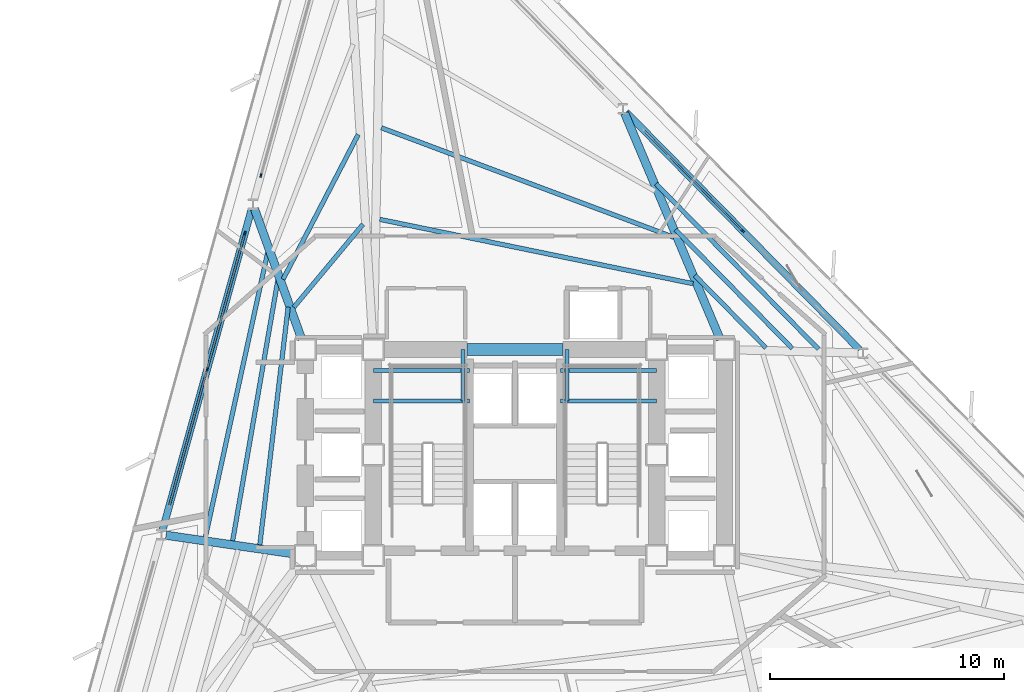
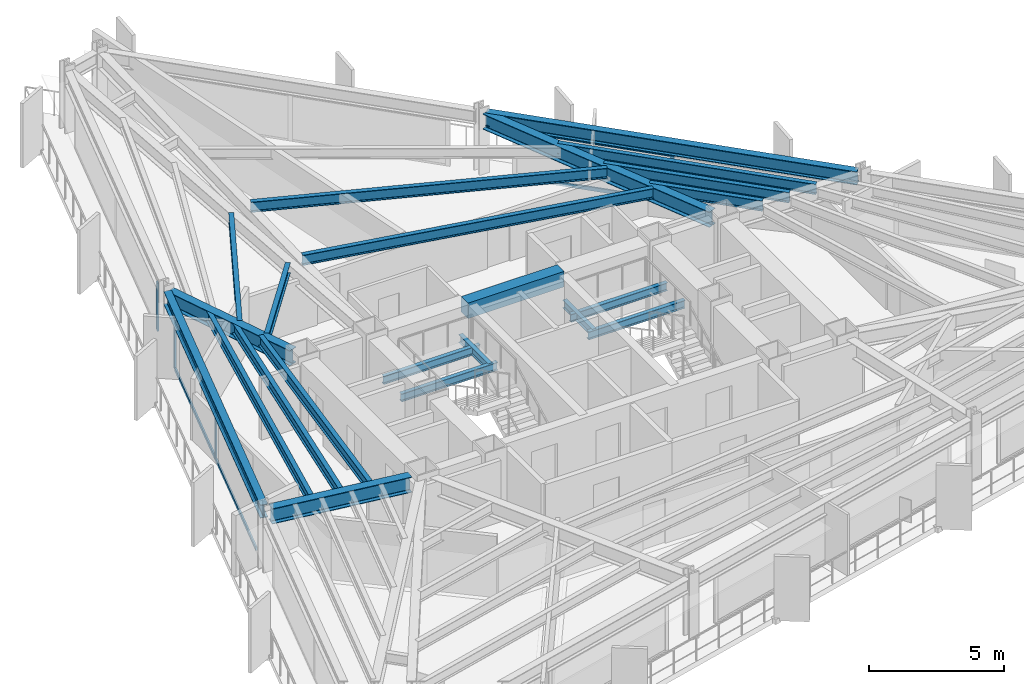
# One storey, part 3 of 11: 22 beams, 10 members, 3 elements without a shape of their own.
"""IFC4 building model written with IfcOpenShell, lengths in metres."""

from ifc_helpers import new_model, si_unit, direction, frame, origin, origin_2d, place, context, subcontext, project, spatial, rectangle, i_section, extrude, material, layer, layer_set, material_profile, profile_set, type_object, element, aggregate, save


model = new_model("IFC4")

# Units and contexts
model_context = context("Model", 3, precision=1e-05, world=origin(), true_north=direction((0.0, 1.0)))
body_context = subcontext(model_context, "Body", "Model", "MODEL_VIEW")
ifc_project = project(units=[si_unit("LENGTHUNIT", "METRE"), si_unit("AREAUNIT", "SQUARE_METRE"), si_unit("VOLUMEUNIT", "CUBIC_METRE"), si_unit("PLANEANGLEUNIT", "RADIAN"), si_unit("MASSUNIT", "GRAM", prefix="KILO")], contexts=[model_context])

# Site, building, storey
site_placement = place(None, origin())
site = spatial("IfcSite", under=ifc_project, at=site_placement, CompositionType="ELEMENT")
building_placement = place(site_placement, origin())
building = spatial("IfcBuilding", under=site, at=building_placement, Name="Rocaltana Carrier Exchange", CompositionType="ELEMENT")
storey_placement = place(building_placement, frame((0.0, 0.0, 82.56005859375)))
storey = spatial("IfcBuildingStorey", under=building, at=storey_placement, Name="L25", CompositionType="ELEMENT", Elevation=82.56005859375)

# Curtain wall, member
ifc_material_1 = material(Name="Aluminium 6063-T6", Category="aluminium")
ifc_layer = layer(ifc_material_1, 0.1650390625)
ifc_layer_set = layer_set([ifc_layer], Name="Aluminium 6063-T6")
curtain_wall_type = type_object("IfcCurtainWallType", Name="Lower-Mid Stepped Curtain Wall CW-02", PredefinedType="NOTDEFINED", material=ifc_layer_set)
curtain_wall_1_placement = place(storey_placement, origin())
curtain_wall_1 = element("IfcCurtainWall", 1, at=curtain_wall_1_placement, inside=storey, type_object=curtain_wall_type, Name="L25 CW-02 Run CW-L25-F1S2", PredefinedType="NOTDEFINED")
ifc_material_2 = material(Name="Aluminium 6063-T6", Category="aluminium")
ifc_material_profile_1 = material_profile(ifc_material_2, rectangle(XDim=0.06494140625, YDim=0.1650390625, at=origin_2d()), Name="AL-65X165")
ifc_profile_set_1 = profile_set([ifc_material_profile_1], Name="Aluminium 6063-T6")
member_type_1 = type_object("IfcMemberType", Name="CW-02 Mullion AL-65X165", PredefinedType="MULLION", material=ifc_profile_set_1)
member_1_placement = place(storey_placement, frame((9.732666015625, 9.564453125, 0.0), z_axis=(0.0, 0.0, 1.0), x_axis=(-0.713244696676, -0.700915118017, 0.0)))
member_1 = element("IfcMember", 2, at=member_1_placement, type_object=member_type_1, Name="CW-02 mullion 2", PredefinedType="MULLION", context=body_context, shape_type="SweptSolid", body=[
    extrude(rectangle(XDim=0.06494140625, YDim=0.1650390625, at=origin_2d()), origin(), (0.0, 0.0, 1.0), 2.16796875),
])

curtain_wall_2_placement = place(storey_placement, origin())
curtain_wall_2 = element("IfcCurtainWall", 3, at=curtain_wall_2_placement, inside=storey, type_object=curtain_wall_type, Name="L25 CW-02 Run CW-L25-F2S1", PredefinedType="NOTDEFINED")
member_2_placement = place(storey_placement, frame((-10.851318359375, 11.93310546875, 0.0), z_axis=(0.0, 0.0, 1.0), x_axis=(0.96362846453, -0.267245546918, 0.0)))
member_2 = element("IfcMember", 4, at=member_2_placement, type_object=member_type_1, Name="CW-02 mullion 3", PredefinedType="MULLION", context=body_context, shape_type="SweptSolid", body=[
    extrude(rectangle(XDim=0.06494140625, YDim=0.1650390625, at=origin_2d()), origin(), (0.0, 0.0, 1.0), 2.16796875),
])
aggregate(curtain_wall_2, [member_2])

# Curtain wall, members
curtain_wall_3_placement = place(storey_placement, origin())
curtain_wall_3 = element("IfcCurtainWall", 5, at=curtain_wall_3_placement, inside=storey, type_object=curtain_wall_type, Name="L25 CW-02 Run CW-L25-F2S2", PredefinedType="NOTDEFINED")
member_3_placement = place(storey_placement, frame((-11.536865234375, 9.46142578125, 0.0), z_axis=(0.0, 0.0, 1.0), x_axis=(0.963630586954, -0.267237893807, 0.0)))
member_3 = element("IfcMember", 6, at=member_3_placement, type_object=member_type_1, Name="CW-02 mullion 1", PredefinedType="MULLION", context=body_context, shape_type="SweptSolid", body=[
    extrude(rectangle(XDim=0.06494140625, YDim=0.1650390625, at=origin_2d()), origin(), (0.0, 0.0, 1.0), 2.16796875),
])
member_4_placement = place(storey_placement, frame((-13.1494140625, 3.646728515625, 0.0), z_axis=(0.0, 0.0, 1.0), x_axis=(0.963630586954, -0.267237893807, 0.0)))
member_4 = element("IfcMember", 7, at=member_4_placement, type_object=member_type_1, Name="CW-02 mullion 2", PredefinedType="MULLION", context=body_context, shape_type="SweptSolid", body=[
    extrude(rectangle(XDim=0.06494140625, YDim=0.1650390625, at=origin_2d()), origin(), (0.0, 0.0, 1.0), 2.16796875),
])

# Member
ifc_material_3 = material(Name="Aluminium 6063-T6", Category="aluminium")
ifc_material_profile_2 = material_profile(ifc_material_3, rectangle(XDim=0.06494140625, YDim=0.1650390625, at=origin_2d()), Name="AL-65X165")
ifc_profile_set_2 = profile_set([ifc_material_profile_2], Name="Aluminium 6063-T6")
member_type_2 = type_object("IfcMemberType", Name="CW-02 Transom AL-65X165", PredefinedType="USERDEFINED", material=ifc_profile_set_2)
member_5_placement = place(storey_placement, frame((9.7099609375, 9.587646484375, 0.032470703125), z_axis=(-0.700924352217, 0.713235621985, 0.0), x_axis=(-0.713235621985, -0.700924352217, 0.0)))
member_5 = element("IfcMember", 8, at=member_5_placement, type_object=member_type_2, Name="CW-02 transom 2.1", ObjectType="TRANSOM", PredefinedType="USERDEFINED", context=body_context, shape_type="SweptSolid", body=[
    extrude(rectangle(XDim=0.06494140625, YDim=0.1650390625, at=origin_2d()), origin(), (0.0, 0.0, 1.0), 5.968994140625),
])

member_6_placement = place(storey_placement, frame((9.7099609375, 9.587646484375, 2.135498046875), z_axis=(-0.700924352217, 0.713235621985, 0.0), x_axis=(-0.713235621985, -0.700924352217, 0.0)))
member_6 = element("IfcMember", 9, at=member_6_placement, type_object=member_type_2, Name="CW-02 transom 2.2", ObjectType="TRANSOM", PredefinedType="USERDEFINED", context=body_context, shape_type="SweptSolid", body=[
    extrude(rectangle(XDim=0.06494140625, YDim=0.1650390625, at=origin_2d()), origin(), (0.0, 0.0, 1.0), 5.968994140625),
])

aggregate(curtain_wall_1, [member_1, member_5, member_6])

member_7_placement = place(storey_placement, frame((-11.54541015625, 9.43017578125, 0.032470703125), z_axis=(-0.267236720875, -0.963630912235, 0.0), x_axis=(0.963630912235, -0.267236720875, 0.0)))
member_7 = element("IfcMember", 10, at=member_7_placement, type_object=member_type_2, Name="CW-02 transom 1.1", ObjectType="TRANSOM", PredefinedType="USERDEFINED", context=body_context, shape_type="SweptSolid", body=[
    extrude(rectangle(XDim=0.06494140625, YDim=0.1650390625, at=origin_2d()), origin(), (0.0, 0.0, 1.0), 5.96923828125),
])

member_8_placement = place(storey_placement, frame((-11.54541015625, 9.43017578125, 2.135498046875), z_axis=(-0.267236720875, -0.963630912235, 0.0), x_axis=(0.963630912235, -0.267236720875, 0.0)))
member_8 = element("IfcMember", 11, at=member_8_placement, type_object=member_type_2, Name="CW-02 transom 1.2", ObjectType="TRANSOM", PredefinedType="USERDEFINED", context=body_context, shape_type="SweptSolid", body=[
    extrude(rectangle(XDim=0.06494140625, YDim=0.1650390625, at=origin_2d()), origin(), (0.0, 0.0, 1.0), 5.96923828125),
])

member_9_placement = place(storey_placement, frame((-13.157958984375, 3.615234375, 0.032470703125), z_axis=(-0.26724725359, -0.963627991213, 0.0), x_axis=(0.963627991213, -0.26724725359, 0.0)))
member_9 = element("IfcMember", 12, at=member_9_placement, type_object=member_type_2, Name="CW-02 transom 2.1", ObjectType="TRANSOM", PredefinedType="USERDEFINED", context=body_context, shape_type="SweptSolid", body=[
    extrude(rectangle(XDim=0.06494140625, YDim=0.1650390625, at=origin_2d()), origin(), (0.0, 0.0, 1.0), 5.968994140625),
])

member_10_placement = place(storey_placement, frame((-13.157958984375, 3.615234375, 2.135498046875), z_axis=(-0.26724725359, -0.963627991213, 0.0), x_axis=(0.963627991213, -0.26724725359, 0.0)))
member_10 = element("IfcMember", 13, at=member_10_placement, type_object=member_type_2, Name="CW-02 transom 2.2", ObjectType="TRANSOM", PredefinedType="USERDEFINED", context=body_context, shape_type="SweptSolid", body=[
    extrude(rectangle(XDim=0.06494140625, YDim=0.1650390625, at=origin_2d()), origin(), (0.0, 0.0, 1.0), 5.968994140625),
])

aggregate(curtain_wall_3, [member_3, member_4, member_7, member_8, member_9, member_10])

# Beams
ifc_material_4 = material(Name="Concrete C60/75", Category="concrete")
ifc_material_profile_3 = material_profile(ifc_material_4, rectangle(XDim=0.5, YDim=0.699951171875, at=origin_2d()), Name="RC-BM-500X700")
ifc_profile_set_3 = profile_set([ifc_material_profile_3], Name="Concrete C60/75")
beam_type_1 = type_object("IfcBeamType", Name="Core Coupling Lintel 500x700", PredefinedType="LINTEL", material=ifc_profile_set_3)
beam_1_placement = place(storey_placement, frame((-2.050048828125, 4.5, 2.43798828125), z_axis=(1.0, 0.0, 0.0), x_axis=(0.0, 1.0, 0.0)))
element("IfcBeam", 14, at=beam_1_placement, inside=storey, type_object=beam_type_1, Name="L25 Core Coupling Lintel CL-N", PredefinedType="LINTEL", context=body_context, shape_type="SweptSolid", body=[
    extrude(rectangle(XDim=0.5, YDim=0.699951171875, at=origin_2d()), origin(), (0.0, 0.0, 1.0), 4.10009765625),
])
ifc_material_5 = material(Name="Steel S355", Category="steel")
ifc_material_profile_4 = material_profile(ifc_material_5, i_section(OverallWidth=0.172119140625, OverallDepth=0.35791015625, WebThickness=0.0078125, FlangeThickness=0.01318359375, FilletRadius=0.011962890625, at=origin_2d()), Name="W14X38")
ifc_profile_set_4 = profile_set([ifc_material_profile_4], Name="Steel S355")
beam_type_2 = type_object("IfcBeamType", Name="Floor Joist W14X38", PredefinedType="JOIST", material=ifc_profile_set_4)
for number, where, z_axis, x_axis, name in (
    (15, (-6.050048828125, 2.300048828125, 1.140869140625), (1.0, 0.0, 0.0), (0.0, 1.0, 0.0), "L25 ST-1 Landing Carrier 1"),
    (16, (1.93994140625, 2.300048828125, 1.140869140625), (1.0, 0.0, 0.0), (0.0, 1.0, 0.0), "L25 ST-2 Landing Carrier 1"),
    (17, (-6.050048828125, 3.60009765625, 1.140869140625), (1.0, 0.0, 0.0), (0.0, 1.0, 0.0), "L25 ST-1 Landing Carrier 2"),
    (18, (1.93994140625, 3.60009765625, 1.140869140625), (1.0, 0.0, 0.0), (0.0, 1.0, 0.0), "L25 ST-2 Landing Carrier 2"),
):
    element("IfcBeam", number, at=place(storey_placement, frame(where, z_axis=z_axis, x_axis=x_axis)), inside=storey, type_object=beam_type_2, Name=name, PredefinedType="JOIST", context=body_context, shape_type="SweptSolid", body=[
        extrude(i_section(OverallWidth=0.172119140625, OverallDepth=0.35791015625, WebThickness=0.0078125, FlangeThickness=0.01318359375, FilletRadius=0.011962890625, at=origin_2d()), origin(), (0.0, 0.0, 1.0), 4.110107421875),
    ])
for number, where, z_axis, x_axis, name in (
    (19, (-2.219970703125, 2.300048828125, 1.140869140625), (0.0, 1.0, 0.0), (-1.0, 0.0, 0.0), "L25 ST-1 Landing Cross Trimmer"),
    (20, (2.219970703125, 2.300048828125, 1.140869140625), (0.0, 1.0, 0.0), (-1.0, 0.0, 0.0), "L25 ST-2 Landing Cross Trimmer"),
):
    element("IfcBeam", number, at=place(storey_placement, frame(where, z_axis=z_axis, x_axis=x_axis)), inside=storey, type_object=beam_type_2, Name=name, PredefinedType="JOIST", context=body_context, shape_type="SweptSolid", body=[
        extrude(i_section(OverallWidth=0.172119140625, OverallDepth=0.35791015625, WebThickness=0.0078125, FlangeThickness=0.01318359375, FilletRadius=0.011962890625, at=origin_2d()), origin(), (0.0, 0.0, 1.0), 2.199951171875),
    ])
ifc_material_6 = material(Name="Steel S355", Category="steel")
ifc_material_profile_5 = material_profile(ifc_material_6, i_section(OverallWidth=0.193115234375, OverallDepth=0.466064453125, WebThickness=0.011474609375, FlangeThickness=0.01904296875, FilletRadius=0.013916015625, at=origin_2d()), Name="W18X65")
ifc_profile_set_5 = profile_set([ifc_material_profile_5], Name="Steel S355")
beam_type_3 = type_object("IfcBeamType", Name="Floor Joist W18X65", PredefinedType="JOIST", material=ifc_profile_set_5)
beam_2_placement = place(storey_placement, frame((10.72119140625, 4.572998046875, 2.554931640625), z_axis=(-0.700891063864, 0.713268334216, 0.0), x_axis=(-0.713268334216, -0.700891063864, 0.0)))
element("IfcBeam", 21, at=beam_2_placement, inside=storey, type_object=beam_type_3, Name="FJ-L25-02-1", PredefinedType="JOIST", context=body_context, shape_type="SweptSolid", body=[
    extrude(i_section(OverallWidth=0.193115234375, OverallDepth=0.466064453125, WebThickness=0.011474609375, FlangeThickness=0.01904296875, FilletRadius=0.013916015625, at=origin_2d()), origin(), (0.0, 0.0, 1.0), 4.339599609375),
])
beam_3_placement = place(storey_placement, frame((11.844482421875, 4.543701171875, 2.554931640625), z_axis=(-0.700907768136, 0.713251919427, 0.0), x_axis=(-0.713251919427, -0.700907768136, 0.0)))
element("IfcBeam", 22, at=beam_3_placement, inside=storey, type_object=beam_type_3, Name="FJ-L25-02-2", PredefinedType="JOIST", context=body_context, shape_type="SweptSolid", body=[
    extrude(i_section(OverallWidth=0.193115234375, OverallDepth=0.466064453125, WebThickness=0.011474609375, FlangeThickness=0.01904296875, FilletRadius=0.013916015625, at=origin_2d()), origin(), (0.0, 0.0, 1.0), 7.1201171875),
])
beam_4_placement = place(storey_placement, frame((12.967529296875, 4.514404296875, 2.554931640625), z_axis=(-0.700914872746, 0.713244937706, 0.0), x_axis=(-0.713244937706, -0.700914872746, 0.0)))
element("IfcBeam", 23, at=beam_4_placement, inside=storey, type_object=beam_type_3, Name="FJ-L25-02-3", PredefinedType="JOIST", context=body_context, shape_type="SweptSolid", body=[
    extrude(i_section(OverallWidth=0.193115234375, OverallDepth=0.466064453125, WebThickness=0.011474609375, FlangeThickness=0.01904296875, FilletRadius=0.013916015625, at=origin_2d()), origin(), (0.0, 0.0, 1.0), 9.900146484375),
])
beam_5_placement = place(storey_placement, frame((7.608642578125, 7.310791015625, 2.554931640625), z_axis=(-0.979548911699, 0.201206186758, 0.0), x_axis=(-0.201206186758, -0.979548911699, 0.0)))
element("IfcBeam", 24, at=beam_5_placement, inside=storey, type_object=beam_type_3, Name="FJ-L25-03-1", PredefinedType="JOIST", context=body_context, shape_type="SweptSolid", body=[
    extrude(i_section(OverallWidth=0.193115234375, OverallDepth=0.466064453125, WebThickness=0.011474609375, FlangeThickness=0.01904296875, FilletRadius=0.013916015625, at=origin_2d()), origin(), (0.0, 0.0, 1.0), 13.66259765625),
])
beam_6_placement = place(storey_placement, frame((6.790283203125, 9.290283203125, 2.554931640625), z_axis=(-0.936459936045, 0.35077455464, 0.0), x_axis=(-0.35077455464, -0.936459936045, 0.0)))
element("IfcBeam", 25, at=beam_6_placement, inside=storey, type_object=beam_type_3, Name="FJ-L25-03-2", PredefinedType="JOIST", context=body_context, shape_type="SweptSolid", body=[
    extrude(i_section(OverallWidth=0.193115234375, OverallDepth=0.466064453125, WebThickness=0.011474609375, FlangeThickness=0.01904296875, FilletRadius=0.013916015625, at=origin_2d()), origin(), (0.0, 0.0, 1.0), 13.344482421875),
])
beam_7_placement = place(storey_placement, frame((-6.492919921875, 9.848876953125, 2.554931640625), z_axis=(-0.640163577039, -0.768238631307, 0.0), x_axis=(0.768238631307, -0.640163577039, 0.0)))
element("IfcBeam", 26, at=beam_7_placement, inside=storey, type_object=beam_type_3, Name="FJ-L25-05-1", PredefinedType="JOIST", context=body_context, shape_type="SweptSolid", body=[
    extrude(i_section(OverallWidth=0.193115234375, OverallDepth=0.466064453125, WebThickness=0.011474609375, FlangeThickness=0.01904296875, FilletRadius=0.013916015625, at=origin_2d()), origin(), (0.0, 0.0, 1.0), 4.613037109375),
])
beam_8_placement = place(storey_placement, frame((-6.6962890625, 13.68505859375, 2.554931640625), z_axis=(-0.46048496637, -0.887667502924, 0.0), x_axis=(0.887667502924, -0.46048496637, 0.0)))
element("IfcBeam", 27, at=beam_8_placement, inside=storey, type_object=beam_type_3, Name="FJ-L25-05-2", PredefinedType="JOIST", context=body_context, shape_type="SweptSolid", body=[
    extrude(i_section(OverallWidth=0.193115234375, OverallDepth=0.466064453125, WebThickness=0.011474609375, FlangeThickness=0.01904296875, FilletRadius=0.013916015625, at=origin_2d()), origin(), (0.0, 0.0, 1.0), 6.96435546875),
])
beam_9_placement = place(storey_placement, frame((-9.6884765625, 6.312744140625, 2.554931640625), z_axis=(-0.118374284941, -0.992969047184, 0.0), x_axis=(0.992969047184, -0.118374284941, 0.0)))
element("IfcBeam", 28, at=beam_9_placement, inside=storey, type_object=beam_type_3, Name="FJ-L25-06-1", PredefinedType="JOIST", context=body_context, shape_type="SweptSolid", body=[
    extrude(i_section(OverallWidth=0.193115234375, OverallDepth=0.466064453125, WebThickness=0.011474609375, FlangeThickness=0.01904296875, FilletRadius=0.013916015625, at=origin_2d()), origin(), (0.0, 0.0, 1.0), 10.227783203125),
])
beam_10_placement = place(storey_placement, frame((-10.123779296875, 7.49169921875, 2.554931640625), z_axis=(-0.170820187973, -0.985302219312, 0.0), x_axis=(0.985302219312, -0.170820187973, 0.0)))
element("IfcBeam", 29, at=beam_10_placement, inside=storey, type_object=beam_type_3, Name="FJ-L25-06-2", PredefinedType="JOIST", context=body_context, shape_type="SweptSolid", body=[
    extrude(i_section(OverallWidth=0.193115234375, OverallDepth=0.466064453125, WebThickness=0.011474609375, FlangeThickness=0.01904296875, FilletRadius=0.013916015625, at=origin_2d()), origin(), (0.0, 0.0, 1.0), 11.332275390625),
])
beam_11_placement = place(storey_placement, frame((-10.5576171875, 8.67041015625, 2.554931640625), z_axis=(-0.213747702255, -0.976888898381, 0.0), x_axis=(0.976888898381, -0.213747702255, 0.0)))
element("IfcBeam", 30, at=beam_11_placement, inside=storey, type_object=beam_type_3, Name="FJ-L25-06-3", PredefinedType="JOIST", context=body_context, shape_type="SweptSolid", body=[
    extrude(i_section(OverallWidth=0.193115234375, OverallDepth=0.466064453125, WebThickness=0.011474609375, FlangeThickness=0.01904296875, FilletRadius=0.013916015625, at=origin_2d()), origin(), (0.0, 0.0, 1.0), 12.463623046875),
])
ifc_material_7 = material(Name="Steel S355", Category="steel")
ifc_material_profile_6 = material_profile(ifc_material_7, i_section(OverallWidth=0.35498046875, OverallDepth=0.695068359375, WebThickness=0.015380859375, FlangeThickness=0.02490234375, FilletRadius=0.01806640625, at=origin_2d()), Name="W27X146")
ifc_profile_set_6 = profile_set([ifc_material_profile_6], Name="Steel S355")
beam_type_4 = type_object("IfcBeamType", Name="Radial Girder W27X146", PredefinedType="BEAM", material=ifc_profile_set_6)
beam_12_placement = place(storey_placement, frame((8.768310546875, 4.93017578125, 2.4404296875), z_axis=(-0.389276478426, 0.921120960213, 0.0), x_axis=(-0.921120960213, -0.389276478426, 0.0)))
element("IfcBeam", 31, at=beam_12_placement, inside=storey, type_object=beam_type_4, Name="RG-L25-03", PredefinedType="BEAM", context=body_context, shape_type="SweptSolid", body=[
    extrude(i_section(OverallWidth=0.35498046875, OverallDepth=0.695068359375, WebThickness=0.015380859375, FlangeThickness=0.02490234375, FilletRadius=0.01806640625, at=origin_2d()), origin(), (0.0, 0.0, 1.0), 10.49560546875),
])
beam_13_placement = place(storey_placement, frame((-9.10888671875, 4.939208984375, 2.4404296875), z_axis=(-0.340508311046, 0.940241506268, 0.0), x_axis=(-0.940241506268, -0.340508311046, 0.0)))
element("IfcBeam", 32, at=beam_13_placement, inside=storey, type_object=beam_type_4, Name="RG-L25-06", PredefinedType="BEAM", context=body_context, shape_type="SweptSolid", body=[
    extrude(i_section(OverallWidth=0.35498046875, OverallDepth=0.695068359375, WebThickness=0.015380859375, FlangeThickness=0.02490234375, FilletRadius=0.01806640625, at=origin_2d()), origin(), (0.0, 0.0, 1.0), 5.923095703125),
])
beam_14_placement = place(storey_placement, frame((-9.412109375, -4.232666015625, 2.4404296875), z_axis=(-0.989567752524, 0.1440682587, 0.0), x_axis=(-0.1440682587, -0.989567752524, 0.0)))
element("IfcBeam", 33, at=beam_14_placement, inside=storey, type_object=beam_type_4, Name="RG-L25-07", PredefinedType="BEAM", context=body_context, shape_type="SweptSolid", body=[
    extrude(i_section(OverallWidth=0.35498046875, OverallDepth=0.695068359375, WebThickness=0.015380859375, FlangeThickness=0.02490234375, FilletRadius=0.01806640625, at=origin_2d()), origin(), (0.0, 0.0, 1.0), 5.551513671875),
])
ifc_material_8 = material(Name="Steel S355", Category="steel")
ifc_material_profile_7 = material_profile(ifc_material_8, i_section(OverallWidth=0.300048828125, OverallDepth=0.60009765625, WebThickness=0.015380859375, FlangeThickness=0.030029296875, FilletRadius=0.027099609375, at=origin_2d()), Name="HEB600")
ifc_profile_set_7 = profile_set([ifc_material_profile_7], Name="Steel S355")
beam_type_5 = type_object("IfcBeamType", Name="Spandrel Edge Beam HEB600", PredefinedType="SPANDREL", material=ifc_profile_set_7)
beam_15_placement = place(storey_placement, frame((14.72021484375, 4.489013671875, 2.488037109375), z_axis=(-0.700903992089, 0.713255630103, 0.0), x_axis=(-0.713255630103, -0.700903992089, 0.0)))
element("IfcBeam", 34, at=beam_15_placement, inside=storey, type_object=beam_type_5, Name="SP-L25-02", PredefinedType="SPANDREL", context=body_context, shape_type="SweptSolid", body=[
    extrude(i_section(OverallWidth=0.300048828125, OverallDepth=0.60009765625, WebThickness=0.015380859375, FlangeThickness=0.030029296875, FilletRadius=0.027099609375, at=origin_2d()), origin(), (0.0, 0.0, 1.0), 14.2314453125),
])
beam_16_placement = place(storey_placement, frame((-11.247802734375, 10.50341796875, 2.488037109375), z_axis=(-0.267228866317, -0.963633090448, 0.0), x_axis=(0.963633090448, -0.267228866317, 0.0)))
element("IfcBeam", 35, at=beam_16_placement, inside=storey, type_object=beam_type_5, Name="SP-L25-06", PredefinedType="SPANDREL", context=body_context, shape_type="SweptSolid", body=[
    extrude(i_section(OverallWidth=0.300048828125, OverallDepth=0.60009765625, WebThickness=0.015380859375, FlangeThickness=0.030029296875, FilletRadius=0.027099609375, at=origin_2d()), origin(), (0.0, 0.0, 1.0), 14.231201171875),
])

save(model, "model.ifc")
